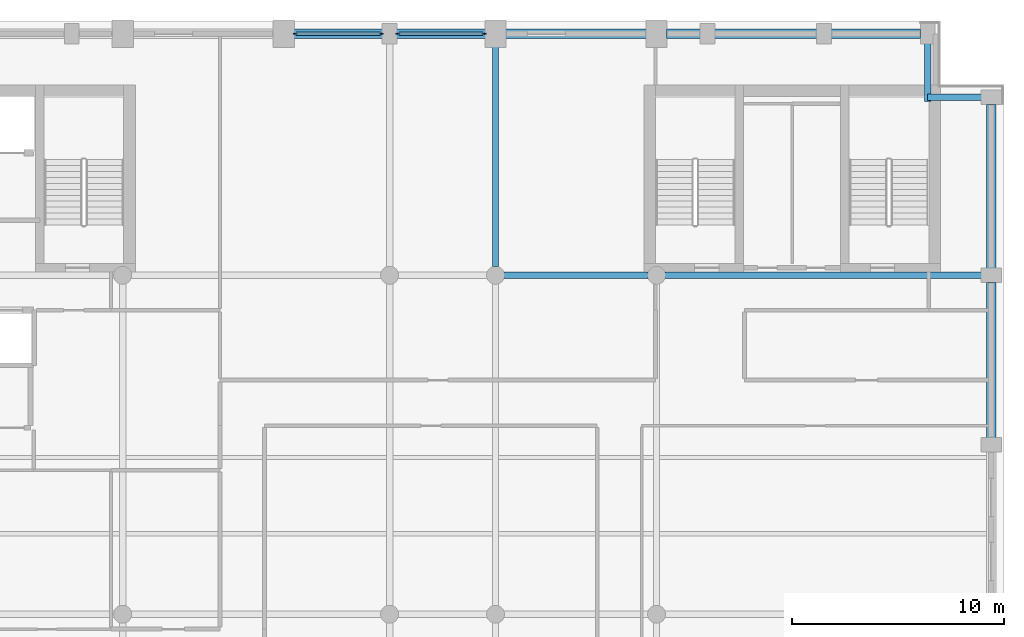
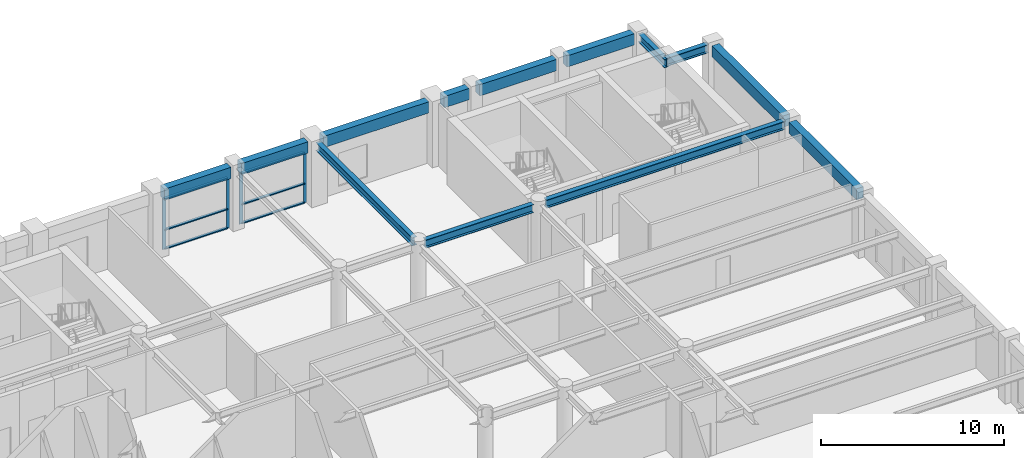
# One storey, part 5 of 13: 13 beams, 10 members, 2 elements without a shape of their own.
"""IFC4 building model written with IfcOpenShell, lengths in metres."""

from ifc_helpers import new_model, si_unit, direction, frame, origin, origin_2d, place, context, subcontext, project, spatial, rectangle, i_section, extrude, material, layer, layer_set, material_profile, profile_set, type_object, element, aggregate, save


model = new_model("IFC4")

# Units and contexts
model_context = context("Model", 3, precision=1e-05, world=origin(), true_north=direction((0.0, 1.0)))
body_context = subcontext(model_context, "Body", "Model", "MODEL_VIEW")
ifc_project = project(units=[si_unit("LENGTHUNIT", "METRE"), si_unit("AREAUNIT", "SQUARE_METRE"), si_unit("VOLUMEUNIT", "CUBIC_METRE"), si_unit("PLANEANGLEUNIT", "RADIAN"), si_unit("MASSUNIT", "GRAM", prefix="KILO")], contexts=[model_context])

# Site, building, storey
site_placement = place(None, origin())
site = spatial("IfcSite", under=ifc_project, at=site_placement, CompositionType="ELEMENT")
building_placement = place(site_placement, origin())
building = spatial("IfcBuilding", under=site, at=building_placement, Name="Sulina Concourse Tower", CompositionType="ELEMENT")
storey_placement = place(building_placement, frame((0.0, 0.0, 280.60009765625)))
storey = spatial("IfcBuildingStorey", under=building, at=storey_placement, Name="L68", CompositionType="ELEMENT", Elevation=280.60009765625)

# Beams
ifc_material_1 = material(Name="Steel S355", Category="steel")
ifc_material_profile_1 = material_profile(ifc_material_1, i_section(OverallWidth=0.300048828125, OverallDepth=0.550048828125, WebThickness=0.014892578125, FlangeThickness=0.029052734375, at=origin_2d()), Name="HE 550 B")
ifc_profile_set_1 = profile_set([ifc_material_profile_1], Name="Steel S355")
beam_type_1 = type_object("IfcBeamType", Name="Floor Primary Girder Zone 4 HE550B", PredefinedType="BEAM", material=ifc_profile_set_1)
beam_1_placement = place(storey_placement, frame((54.39990234375, 42.39990234375, 3.875), z_axis=(1.0, 0.0, 0.0), x_axis=(0.0, 1.0, 0.0)))
element("IfcBeam", 1, at=beam_1_placement, inside=storey, type_object=beam_type_1, Name="TIE-NE-L68", PredefinedType="BEAM", context=body_context, shape_type="SweptSolid", body=[
    extrude(i_section(OverallWidth=0.300048828125, OverallDepth=0.550048828125, WebThickness=0.014892578125, FlangeThickness=0.029052734375, at=origin_2d()), origin(), (0.0, 0.0, 1.0), 2.670166015625),
])
beam_2_placement = place(storey_placement, frame((54.39990234375, 42.199951171875, 3.875), z_axis=(0.0, 1.0, 0.0), x_axis=(-1.0, 0.0, 0.0)))
element("IfcBeam", 2, at=beam_2_placement, inside=storey, type_object=beam_type_1, Name="TIE-NEN-L68", PredefinedType="BEAM", context=body_context, shape_type="SweptSolid", body=[
    extrude(i_section(OverallWidth=0.300048828125, OverallDepth=0.550048828125, WebThickness=0.014892578125, FlangeThickness=0.029052734375, at=origin_2d()), origin(), (0.0, 0.0, 1.0), 2.8701171875),
])
beam_3_placement = place(storey_placement, frame((34.405029296875, 34.0, 3.875), z_axis=(1.0, 0.0, 0.0), x_axis=(0.0, 1.0, 0.0)))
element("IfcBeam", 3, at=beam_3_placement, inside=storey, type_object=beam_type_1, Name="FG-EWN4-L68", PredefinedType="BEAM", context=body_context, shape_type="SweptSolid", body=[
    extrude(i_section(OverallWidth=0.300048828125, OverallDepth=0.550048828125, WebThickness=0.014892578125, FlangeThickness=0.029052734375, at=origin_2d()), origin(), (0.0, 0.0, 1.0), 6.7900390625),
])
beam_4_placement = place(storey_placement, frame((42.0048828125, 34.0, 3.875), z_axis=(1.0, 0.0, 0.0), x_axis=(0.0, 1.0, 0.0)))
element("IfcBeam", 4, at=beam_4_placement, inside=storey, type_object=beam_type_1, Name="FG-EWN5-L68", PredefinedType="BEAM", context=body_context, shape_type="SweptSolid", body=[
    extrude(i_section(OverallWidth=0.300048828125, OverallDepth=0.550048828125, WebThickness=0.014892578125, FlangeThickness=0.029052734375, at=origin_2d()), origin(), (0.0, 0.0, 1.0), 15.065185546875),
])
beam_5_placement = place(storey_placement, frame((34.0, 34.405029296875, 3.875), z_axis=(0.0, 1.0, 0.0), x_axis=(-1.0, 0.0, 0.0)))
element("IfcBeam", 5, at=beam_5_placement, inside=storey, type_object=beam_type_1, Name="FG-NSC-34-L68", PredefinedType="BEAM", context=body_context, shape_type="SweptSolid", body=[
    extrude(i_section(OverallWidth=0.300048828125, OverallDepth=0.550048828125, WebThickness=0.014892578125, FlangeThickness=0.029052734375, at=origin_2d()), origin(), (0.0, 0.0, 1.0), 10.514892578125),
])

# Curtain wall, members
ifc_material_2 = material(Name="Aluminium 6063-T6", Category="aluminium")
ifc_layer = layer(ifc_material_2, 0.22998046875)
ifc_layer_set = layer_set([ifc_layer], Name="Aluminium 6063-T6")
curtain_wall_type = type_object("IfcCurtainWallType", Name="Sky-Pool Wellness Lounge Curtain Wall System", PredefinedType="NOTDEFINED", material=ifc_layer_set)
curtain_wall_1_placement = place(storey_placement, origin())
curtain_wall_1 = element("IfcCurtainWall", 6, at=curtain_wall_1_placement, inside=storey, type_object=curtain_wall_type, Name="L68 glazed curtain wall N5", PredefinedType="NOTDEFINED")
ifc_material_3 = material(Name="Aluminium 6063-T6", Category="aluminium")
ifc_material_profile_2 = material_profile(ifc_material_3, rectangle(XDim=0.068115234375, YDim=0.2099609375, at=origin_2d()), Name="MUL 68x210")
ifc_profile_set_2 = profile_set([ifc_material_profile_2], Name="Aluminium 6063-T6")
member_type_1 = type_object("IfcMemberType", Name="Sky-Pool Wellness Lounge Curtain Wall System Mullion 68x210", PredefinedType="MULLION", material=ifc_profile_set_2)
member_1_placement = place(storey_placement, frame((24.553955078125, 45.39990234375, 0.0), z_axis=(0.0, 0.0, 1.0), x_axis=(0.0, 1.0, 0.0)))
member_1 = element("IfcMember", 7, at=member_1_placement, type_object=member_type_1, Name="CW-05 mullion 1", PredefinedType="MULLION", context=body_context, shape_type="SweptSolid", body=[
    extrude(rectangle(XDim=0.068115234375, YDim=0.2099609375, at=origin_2d()), origin(), (0.0, 0.0, 1.0), 3.39990234375),
])
member_2_placement = place(storey_placement, frame((28.595947265625, 45.39990234375, 0.0), z_axis=(0.0, 0.0, 1.0), x_axis=(0.0, 1.0, 0.0)))
member_2 = element("IfcMember", 8, at=member_2_placement, type_object=member_type_1, Name="CW-05 mullion 2", PredefinedType="MULLION", context=body_context, shape_type="SweptSolid", body=[
    extrude(rectangle(XDim=0.068115234375, YDim=0.2099609375, at=origin_2d()), origin(), (0.0, 0.0, 1.0), 3.39990234375),
])

curtain_wall_2_placement = place(storey_placement, origin())
curtain_wall_2 = element("IfcCurtainWall", 9, at=curtain_wall_2_placement, inside=storey, type_object=curtain_wall_type, Name="L68 glazed curtain wall N6", PredefinedType="NOTDEFINED")
member_3_placement = place(storey_placement, frame((29.404052734375, 45.39990234375, 0.0), z_axis=(0.0, 0.0, 1.0), x_axis=(0.0, 1.0, 0.0)))
member_3 = element("IfcMember", 10, at=member_3_placement, type_object=member_type_1, Name="CW-05 mullion 1", PredefinedType="MULLION", context=body_context, shape_type="SweptSolid", body=[
    extrude(rectangle(XDim=0.068115234375, YDim=0.2099609375, at=origin_2d()), origin(), (0.0, 0.0, 1.0), 3.39990234375),
])
member_4_placement = place(storey_placement, frame((33.446044921875, 45.39990234375, 0.0), z_axis=(0.0, 0.0, 1.0), x_axis=(0.0, 1.0, 0.0)))
member_4 = element("IfcMember", 11, at=member_4_placement, type_object=member_type_1, Name="CW-05 mullion 2", PredefinedType="MULLION", context=body_context, shape_type="SweptSolid", body=[
    extrude(rectangle(XDim=0.068115234375, YDim=0.2099609375, at=origin_2d()), origin(), (0.0, 0.0, 1.0), 3.39990234375),
])

# Member
ifc_material_4 = material(Name="Aluminium 6063-T6", Category="aluminium")
ifc_material_profile_3 = material_profile(ifc_material_4, rectangle(XDim=0.169921875, YDim=0.068115234375, at=origin_2d()), Name="TRN 68x170")
ifc_profile_set_3 = profile_set([ifc_material_profile_3], Name="Aluminium 6063-T6")
member_type_2 = type_object("IfcMemberType", Name="Sky-Pool Wellness Lounge Curtain Wall System Transom 68x170", PredefinedType="USERDEFINED", material=ifc_profile_set_3)
member_5_placement = place(storey_placement, frame((24.587890625, 45.39990234375, 0.033935546875), z_axis=(1.0, 0.0, 0.0), x_axis=(0.0, 1.0, 0.0)))
member_5 = element("IfcMember", 12, at=member_5_placement, type_object=member_type_2, Name="CW-05 transom 1.1", ObjectType="TRANSOM", PredefinedType="USERDEFINED", context=body_context, shape_type="SweptSolid", body=[
    extrude(rectangle(XDim=0.169921875, YDim=0.068115234375, at=origin_2d()), origin(), (0.0, 0.0, 1.0), 3.97412109375),
])

member_6_placement = place(storey_placement, frame((24.587890625, 45.39990234375, 1.2919921875), z_axis=(1.0, 0.0, 0.0), x_axis=(0.0, 1.0, 0.0)))
member_6 = element("IfcMember", 13, at=member_6_placement, type_object=member_type_2, Name="CW-05 transom 1.2", ObjectType="TRANSOM", PredefinedType="USERDEFINED", context=body_context, shape_type="SweptSolid", body=[
    extrude(rectangle(XDim=0.169921875, YDim=0.068115234375, at=origin_2d()), origin(), (0.0, 0.0, 1.0), 3.97412109375),
])

member_7_placement = place(storey_placement, frame((24.587890625, 45.39990234375, 3.365966796875), z_axis=(1.0, 0.0, 0.0), x_axis=(0.0, 1.0, 0.0)))
member_7 = element("IfcMember", 14, at=member_7_placement, type_object=member_type_2, Name="CW-05 transom 1.3", ObjectType="TRANSOM", PredefinedType="USERDEFINED", context=body_context, shape_type="SweptSolid", body=[
    extrude(rectangle(XDim=0.169921875, YDim=0.068115234375, at=origin_2d()), origin(), (0.0, 0.0, 1.0), 3.97412109375),
])

aggregate(curtain_wall_1, [member_1, member_2, member_5, member_6, member_7])

member_8_placement = place(storey_placement, frame((29.43798828125, 45.39990234375, 0.033935546875), z_axis=(1.0, 0.0, 0.0), x_axis=(0.0, 1.0, 0.0)))
member_8 = element("IfcMember", 15, at=member_8_placement, type_object=member_type_2, Name="CW-05 transom 1.1", ObjectType="TRANSOM", PredefinedType="USERDEFINED", context=body_context, shape_type="SweptSolid", body=[
    extrude(rectangle(XDim=0.169921875, YDim=0.068115234375, at=origin_2d()), origin(), (0.0, 0.0, 1.0), 3.97412109375),
])

member_9_placement = place(storey_placement, frame((29.43798828125, 45.39990234375, 1.2919921875), z_axis=(1.0, 0.0, 0.0), x_axis=(0.0, 1.0, 0.0)))
member_9 = element("IfcMember", 16, at=member_9_placement, type_object=member_type_2, Name="CW-05 transom 1.2", ObjectType="TRANSOM", PredefinedType="USERDEFINED", context=body_context, shape_type="SweptSolid", body=[
    extrude(rectangle(XDim=0.169921875, YDim=0.068115234375, at=origin_2d()), origin(), (0.0, 0.0, 1.0), 3.97412109375),
])

member_10_placement = place(storey_placement, frame((29.43798828125, 45.39990234375, 3.365966796875), z_axis=(1.0, 0.0, 0.0), x_axis=(0.0, 1.0, 0.0)))
member_10 = element("IfcMember", 17, at=member_10_placement, type_object=member_type_2, Name="CW-05 transom 1.3", ObjectType="TRANSOM", PredefinedType="USERDEFINED", context=body_context, shape_type="SweptSolid", body=[
    extrude(rectangle(XDim=0.169921875, YDim=0.068115234375, at=origin_2d()), origin(), (0.0, 0.0, 1.0), 3.97412109375),
])

aggregate(curtain_wall_2, [member_3, member_4, member_8, member_9, member_10])

# Beams
ifc_material_5 = material(Name="Precast concrete C50/60", Category="concrete")
ifc_material_profile_4 = material_profile(ifc_material_5, rectangle(XDim=0.449951171875, YDim=0.75, at=origin_2d()), Name="RC 450x750")
ifc_profile_set_4 = profile_set([ifc_material_profile_4], Name="Precast concrete C50/60")
beam_type_2 = type_object("IfcBeamType", Name="Upper Precast Spandrel Edge Beam 450x750", PredefinedType="BEAM", material=ifc_profile_set_4)
for number, where, z_axis, x_axis, name in (
    (18, (24.47998046875, 45.39990234375, 3.77490234375), (1.0, 0.0, 0.0), (0.0, 1.0, 0.0), "SP-N5-L68"),
    (19, (29.330078125, 45.39990234375, 3.77490234375), (1.0, 0.0, 0.0), (0.0, 1.0, 0.0), "SP-N6-L68"),
):
    element("IfcBeam", number, at=place(storey_placement, frame(where, z_axis=z_axis, x_axis=x_axis)), inside=storey, type_object=beam_type_2, Name=name, PredefinedType="BEAM", context=body_context, shape_type="SweptSolid", body=[
        extrude(rectangle(XDim=0.449951171875, YDim=0.75, at=origin_2d()), origin(), (0.0, 0.0, 1.0), 4.18994140625),
    ])
beam_6_placement = place(storey_placement, frame((34.47998046875, 45.39990234375, 3.77490234375), z_axis=(1.0, 0.0, 0.0), x_axis=(0.0, 1.0, 0.0)))
element("IfcBeam", 20, at=beam_6_placement, inside=storey, type_object=beam_type_2, Name="SP-N7-L68", PredefinedType="BEAM", context=body_context, shape_type="SweptSolid", body=[
    extrude(rectangle(XDim=0.449951171875, YDim=0.75, at=origin_2d()), origin(), (0.0, 0.0, 1.0), 6.64013671875),
])
beam_7_placement = place(storey_placement, frame((42.080078125, 45.39990234375, 3.77490234375), z_axis=(1.0, 0.0, 0.0), x_axis=(0.0, 1.0, 0.0)))
element("IfcBeam", 21, at=beam_7_placement, inside=storey, type_object=beam_type_2, Name="SP-N8-L68", PredefinedType="BEAM", context=body_context, shape_type="SweptSolid", body=[
    extrude(rectangle(XDim=0.449951171875, YDim=0.75, at=origin_2d()), origin(), (0.0, 0.0, 1.0), 1.58984375),
])
beam_8_placement = place(storey_placement, frame((44.330078125, 45.39990234375, 3.77490234375), z_axis=(1.0, 0.0, 0.0), x_axis=(0.0, 1.0, 0.0)))
element("IfcBeam", 22, at=beam_8_placement, inside=storey, type_object=beam_type_2, Name="SP-N9-L68", PredefinedType="BEAM", context=body_context, shape_type="SweptSolid", body=[
    extrude(rectangle(XDim=0.449951171875, YDim=0.75, at=origin_2d()), origin(), (0.0, 0.0, 1.0), 4.83984375),
])
beam_9_placement = place(storey_placement, frame((49.830078125, 45.39990234375, 3.77490234375), z_axis=(1.0, 0.0, 0.0), x_axis=(0.0, 1.0, 0.0)))
element("IfcBeam", 23, at=beam_9_placement, inside=storey, type_object=beam_type_2, Name="SP-N10-L68", PredefinedType="BEAM", context=body_context, shape_type="SweptSolid", body=[
    extrude(rectangle(XDim=0.449951171875, YDim=0.75, at=origin_2d()), origin(), (0.0, 0.0, 1.0), 4.239990234375),
])
beam_10_placement = place(storey_placement, frame((57.39990234375, 26.330078125, 3.77490234375), z_axis=(0.0, 1.0, 0.0), x_axis=(-1.0, 0.0, 0.0)))
element("IfcBeam", 24, at=beam_10_placement, inside=storey, type_object=beam_type_2, Name="SP-E4-L68", PredefinedType="BEAM", context=body_context, shape_type="SweptSolid", body=[
    extrude(rectangle(XDim=0.449951171875, YDim=0.75, at=origin_2d()), origin(), (0.0, 0.0, 1.0), 7.33984375),
])
beam_11_placement = place(storey_placement, frame((57.39990234375, 34.330078125, 3.77490234375), z_axis=(0.0, 1.0, 0.0), x_axis=(-1.0, 0.0, 0.0)))
element("IfcBeam", 25, at=beam_11_placement, inside=storey, type_object=beam_type_2, Name="SP-E5-L68", PredefinedType="BEAM", context=body_context, shape_type="SweptSolid", body=[
    extrude(rectangle(XDim=0.449951171875, YDim=0.75, at=origin_2d()), origin(), (0.0, 0.0, 1.0), 7.739990234375),
])

save(model, "model.ifc")
